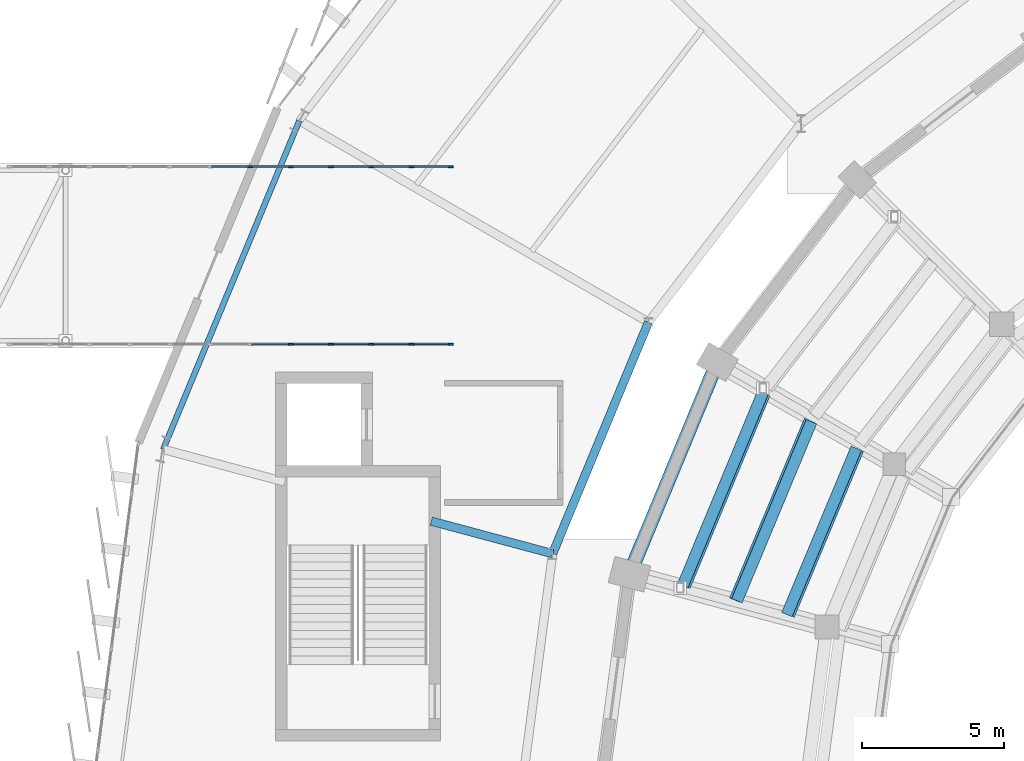
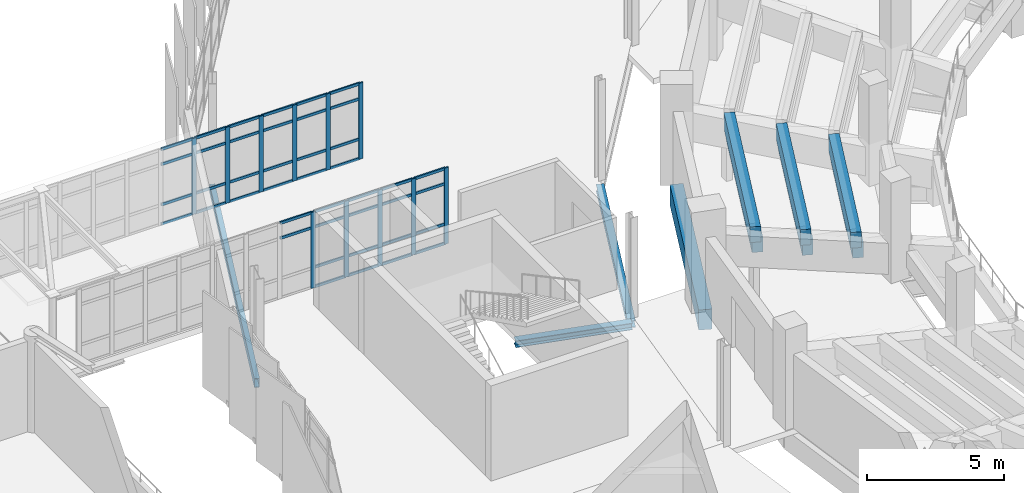
# One storey, part 44 of 120: 53 members, 10 beams, 2 elements without a shape of their own.
"""IFC4 building model written with IfcOpenShell, lengths in metres."""

from ifc_helpers import new_model, si_unit, direction, frame, origin, origin_2d, place, context, subcontext, project, spatial, rectangle, hollow_rectangle, i_section, extrude, material, layer, layer_set, material_profile, profile_set, type_object, element, aggregate, save


model = new_model("IFC4")

# Units and contexts
model_context = context("Model", 3, precision=1e-05, world=origin(), true_north=direction((0.0, 1.0)))
body_context = subcontext(model_context, "Body", "Model", "MODEL_VIEW")
ifc_project = project(units=[si_unit("LENGTHUNIT", "METRE"), si_unit("AREAUNIT", "SQUARE_METRE"), si_unit("VOLUMEUNIT", "CUBIC_METRE"), si_unit("PLANEANGLEUNIT", "RADIAN"), si_unit("MASSUNIT", "GRAM", prefix="KILO")], contexts=[model_context])

# Site, building, storey
site_placement = place(None, origin())
site = spatial("IfcSite", under=ifc_project, at=site_placement, CompositionType="ELEMENT")
building_placement = place(site_placement, origin())
building = spatial("IfcBuilding", under=site, at=building_placement, Name="Sohan Crest Arena", CompositionType="ELEMENT")
storey_placement = place(building_placement, frame((0.0, 0.0, 13.5)))
storey = spatial("IfcBuildingStorey", under=building, at=storey_placement, Name="L03", CompositionType="ELEMENT", Elevation=13.5)

# Curtain wall, members
ifc_material_1 = material(Name="Thermally broken anodised aluminium", Category="aluminium")
ifc_layer = layer(ifc_material_1, 0.18994140625, Name="Thermally broken anodised aluminium")
ifc_layer_set = layer_set([ifc_layer], Name="Thermally broken anodised aluminium")
curtain_wall_type = type_object("IfcCurtainWallType", Name="ARC-CW05", PredefinedType="NOTDEFINED", material=ifc_layer_set)
curtain_wall_1_placement = place(storey_placement, origin())
curtain_wall_1 = element("IfcCurtainWall", 1, at=curtain_wall_1_placement, inside=storey, type_object=curtain_wall_type, Name="Unitised curtain wall CW-237", PredefinedType="NOTDEFINED")
ifc_material_profile_1 = material_profile(ifc_material_1, rectangle(XDim=0.06494140625, YDim=0.179931640625, at=origin_2d()), Name="ALU-MULL 65x180")
ifc_profile_set_1 = profile_set([ifc_material_profile_1], Name="Thermally broken anodised aluminium")
member_type_1 = type_object("IfcMemberType", Name="ARC-CW-ML02", PredefinedType="MULLION", material=ifc_profile_set_1)
member_1_placement = place(storey_placement, frame((56.127197265625, 94.1201171875, 0.0), z_axis=(0.0, 0.0, 1.0), x_axis=(0.0, 1.0, 0.0)))
member_1 = element("IfcMember", 2, at=member_1_placement, type_object=member_type_1, Name="CW-237 mullion 8", PredefinedType="MULLION", context=body_context, shape_type="SweptSolid", body=[
    extrude(rectangle(XDim=0.06494140625, YDim=0.179931640625, at=origin_2d()), origin(), (0.0, 0.0, 1.0), 3.39990234375),
])
member_2_placement = place(storey_placement, frame((57.54541015625, 94.1201171875, 0.0), z_axis=(0.0, 0.0, 1.0), x_axis=(0.0, 1.0, 0.0)))
member_2 = element("IfcMember", 3, at=member_2_placement, type_object=member_type_1, Name="CW-237 mullion 9", PredefinedType="MULLION", context=body_context, shape_type="SweptSolid", body=[
    extrude(rectangle(XDim=0.06494140625, YDim=0.179931640625, at=origin_2d()), origin(), (0.0, 0.0, 1.0), 3.39990234375),
])
member_3_placement = place(storey_placement, frame((58.963623046875, 94.1201171875, 0.0), z_axis=(0.0, 0.0, 1.0), x_axis=(0.0, 1.0, 0.0)))
member_3 = element("IfcMember", 4, at=member_3_placement, type_object=member_type_1, Name="CW-237 mullion 10", PredefinedType="MULLION", context=body_context, shape_type="SweptSolid", body=[
    extrude(rectangle(XDim=0.06494140625, YDim=0.179931640625, at=origin_2d()), origin(), (0.0, 0.0, 1.0), 3.39990234375),
])
member_4_placement = place(storey_placement, frame((60.3818359375, 94.1201171875, 0.0), z_axis=(0.0, 0.0, 1.0), x_axis=(0.0, 1.0, 0.0)))
member_4 = element("IfcMember", 5, at=member_4_placement, type_object=member_type_1, Name="CW-237 mullion 11", PredefinedType="MULLION", context=body_context, shape_type="SweptSolid", body=[
    extrude(rectangle(XDim=0.06494140625, YDim=0.179931640625, at=origin_2d()), origin(), (0.0, 0.0, 1.0), 3.39990234375),
])
member_5_placement = place(storey_placement, frame((61.767578125, 94.1201171875, 0.0), z_axis=(0.0, 0.0, 1.0), x_axis=(0.0, 1.0, 0.0)))
member_5 = element("IfcMember", 6, at=member_5_placement, type_object=member_type_1, Name="CW-237 mullion 12", PredefinedType="MULLION", context=body_context, shape_type="SweptSolid", body=[
    extrude(rectangle(XDim=0.06494140625, YDim=0.179931640625, at=origin_2d()), origin(), (0.0, 0.0, 1.0), 3.39990234375),
])

curtain_wall_2_placement = place(storey_placement, origin())
curtain_wall_2 = element("IfcCurtainWall", 7, at=curtain_wall_2_placement, inside=storey, type_object=curtain_wall_type, Name="Unitised curtain wall CW-238", PredefinedType="NOTDEFINED")
member_6_placement = place(storey_placement, frame((54.708984375, 100.3798828125, 0.0), z_axis=(0.0, 0.0, 1.0), x_axis=(0.0, 1.0, 0.0)))
member_6 = element("IfcMember", 8, at=member_6_placement, type_object=member_type_1, Name="CW-238 mullion 7", PredefinedType="MULLION", context=body_context, shape_type="SweptSolid", body=[
    extrude(rectangle(XDim=0.06494140625, YDim=0.179931640625, at=origin_2d()), origin(), (0.0, 0.0, 1.0), 3.39990234375),
])
member_7_placement = place(storey_placement, frame((56.127197265625, 100.3798828125, 0.0), z_axis=(0.0, 0.0, 1.0), x_axis=(0.0, 1.0, 0.0)))
member_7 = element("IfcMember", 9, at=member_7_placement, type_object=member_type_1, Name="CW-238 mullion 8", PredefinedType="MULLION", context=body_context, shape_type="SweptSolid", body=[
    extrude(rectangle(XDim=0.06494140625, YDim=0.179931640625, at=origin_2d()), origin(), (0.0, 0.0, 1.0), 3.39990234375),
])
member_8_placement = place(storey_placement, frame((57.54541015625, 100.3798828125, 0.0), z_axis=(0.0, 0.0, 1.0), x_axis=(0.0, 1.0, 0.0)))
member_8 = element("IfcMember", 10, at=member_8_placement, type_object=member_type_1, Name="CW-238 mullion 9", PredefinedType="MULLION", context=body_context, shape_type="SweptSolid", body=[
    extrude(rectangle(XDim=0.06494140625, YDim=0.179931640625, at=origin_2d()), origin(), (0.0, 0.0, 1.0), 3.39990234375),
])
member_9_placement = place(storey_placement, frame((58.963623046875, 100.3798828125, 0.0), z_axis=(0.0, 0.0, 1.0), x_axis=(0.0, 1.0, 0.0)))
member_9 = element("IfcMember", 11, at=member_9_placement, type_object=member_type_1, Name="CW-238 mullion 10", PredefinedType="MULLION", context=body_context, shape_type="SweptSolid", body=[
    extrude(rectangle(XDim=0.06494140625, YDim=0.179931640625, at=origin_2d()), origin(), (0.0, 0.0, 1.0), 3.39990234375),
])
member_10_placement = place(storey_placement, frame((60.3818359375, 100.3798828125, 0.0), z_axis=(0.0, 0.0, 1.0), x_axis=(0.0, 1.0, 0.0)))
member_10 = element("IfcMember", 12, at=member_10_placement, type_object=member_type_1, Name="CW-238 mullion 11", PredefinedType="MULLION", context=body_context, shape_type="SweptSolid", body=[
    extrude(rectangle(XDim=0.06494140625, YDim=0.179931640625, at=origin_2d()), origin(), (0.0, 0.0, 1.0), 3.39990234375),
])
member_11_placement = place(storey_placement, frame((61.767578125, 100.3798828125, 0.0), z_axis=(0.0, 0.0, 1.0), x_axis=(0.0, 1.0, 0.0)))
member_11 = element("IfcMember", 13, at=member_11_placement, type_object=member_type_1, Name="CW-238 mullion 12", PredefinedType="MULLION", context=body_context, shape_type="SweptSolid", body=[
    extrude(rectangle(XDim=0.06494140625, YDim=0.179931640625, at=origin_2d()), origin(), (0.0, 0.0, 1.0), 3.39990234375),
])

# Member
ifc_material_profile_2 = material_profile(ifc_material_1, rectangle(XDim=0.06005859375, YDim=0.1201171875, at=origin_2d()), Name="ALU-TRAN 60x120")
ifc_profile_set_2 = profile_set([ifc_material_profile_2], Name="Thermally broken anodised aluminium")
member_type_2 = type_object("IfcMemberType", Name="ARC-CW-TR01", PredefinedType="USERDEFINED", material=ifc_profile_set_2)
member_12_placement = place(storey_placement, frame((54.74169921875, 94.1201171875, 2.699951171875), z_axis=(1.0, 0.0, 0.0), x_axis=(0.0, 1.0, 0.0)))
member_12 = element("IfcMember", 14, at=member_12_placement, type_object=member_type_2, Name="CW-237 transom 7.3", ObjectType="TRANSOM", PredefinedType="USERDEFINED", context=body_context, shape_type="SweptSolid", body=[
    extrude(rectangle(XDim=0.06005859375, YDim=0.1201171875, at=origin_2d()), origin(), (0.0, 0.0, 1.0), 1.35302734375),
])

member_13_placement = place(storey_placement, frame((54.74169921875, 94.1201171875, 3.3701171875), z_axis=(1.0, 0.0, 0.0), x_axis=(0.0, 1.0, 0.0)))
member_13 = element("IfcMember", 15, at=member_13_placement, type_object=member_type_2, Name="CW-237 transom 7.4", ObjectType="TRANSOM", PredefinedType="USERDEFINED", context=body_context, shape_type="SweptSolid", body=[
    extrude(rectangle(XDim=0.06005859375, YDim=0.1201171875, at=origin_2d()), origin(), (0.0, 0.0, 1.0), 1.35302734375),
])

member_14_placement = place(storey_placement, frame((56.15966796875, 94.1201171875, 0.030029296875), z_axis=(1.0, 0.0, 0.0), x_axis=(0.0, 1.0, 0.0)))
member_14 = element("IfcMember", 16, at=member_14_placement, type_object=member_type_2, Name="CW-237 transom 8.1", ObjectType="TRANSOM", PredefinedType="USERDEFINED", context=body_context, shape_type="SweptSolid", body=[
    extrude(rectangle(XDim=0.06005859375, YDim=0.1201171875, at=origin_2d()), origin(), (0.0, 0.0, 1.0), 1.353271484375),
])

member_15_placement = place(storey_placement, frame((56.15966796875, 94.1201171875, 0.89990234375), z_axis=(1.0, 0.0, 0.0), x_axis=(0.0, 1.0, 0.0)))
member_15 = element("IfcMember", 17, at=member_15_placement, type_object=member_type_2, Name="CW-237 transom 8.2", ObjectType="TRANSOM", PredefinedType="USERDEFINED", context=body_context, shape_type="SweptSolid", body=[
    extrude(rectangle(XDim=0.06005859375, YDim=0.1201171875, at=origin_2d()), origin(), (0.0, 0.0, 1.0), 1.353271484375),
])

member_16_placement = place(storey_placement, frame((56.15966796875, 94.1201171875, 2.699951171875), z_axis=(1.0, 0.0, 0.0), x_axis=(0.0, 1.0, 0.0)))
member_16 = element("IfcMember", 18, at=member_16_placement, type_object=member_type_2, Name="CW-237 transom 8.3", ObjectType="TRANSOM", PredefinedType="USERDEFINED", context=body_context, shape_type="SweptSolid", body=[
    extrude(rectangle(XDim=0.06005859375, YDim=0.1201171875, at=origin_2d()), origin(), (0.0, 0.0, 1.0), 1.353271484375),
])

member_17_placement = place(storey_placement, frame((56.15966796875, 94.1201171875, 3.3701171875), z_axis=(1.0, 0.0, 0.0), x_axis=(0.0, 1.0, 0.0)))
member_17 = element("IfcMember", 19, at=member_17_placement, type_object=member_type_2, Name="CW-237 transom 8.4", ObjectType="TRANSOM", PredefinedType="USERDEFINED", context=body_context, shape_type="SweptSolid", body=[
    extrude(rectangle(XDim=0.06005859375, YDim=0.1201171875, at=origin_2d()), origin(), (0.0, 0.0, 1.0), 1.353271484375),
])

member_18_placement = place(storey_placement, frame((57.577880859375, 94.1201171875, 0.030029296875), z_axis=(1.0, 0.0, 0.0), x_axis=(0.0, 1.0, 0.0)))
member_18 = element("IfcMember", 20, at=member_18_placement, type_object=member_type_2, Name="CW-237 transom 9.1", ObjectType="TRANSOM", PredefinedType="USERDEFINED", context=body_context, shape_type="SweptSolid", body=[
    extrude(rectangle(XDim=0.06005859375, YDim=0.1201171875, at=origin_2d()), origin(), (0.0, 0.0, 1.0), 1.353271484375),
])

member_19_placement = place(storey_placement, frame((57.577880859375, 94.1201171875, 0.89990234375), z_axis=(1.0, 0.0, 0.0), x_axis=(0.0, 1.0, 0.0)))
member_19 = element("IfcMember", 21, at=member_19_placement, type_object=member_type_2, Name="CW-237 transom 9.2", ObjectType="TRANSOM", PredefinedType="USERDEFINED", context=body_context, shape_type="SweptSolid", body=[
    extrude(rectangle(XDim=0.06005859375, YDim=0.1201171875, at=origin_2d()), origin(), (0.0, 0.0, 1.0), 1.353271484375),
])

member_20_placement = place(storey_placement, frame((57.577880859375, 94.1201171875, 2.699951171875), z_axis=(1.0, 0.0, 0.0), x_axis=(0.0, 1.0, 0.0)))
member_20 = element("IfcMember", 22, at=member_20_placement, type_object=member_type_2, Name="CW-237 transom 9.3", ObjectType="TRANSOM", PredefinedType="USERDEFINED", context=body_context, shape_type="SweptSolid", body=[
    extrude(rectangle(XDim=0.06005859375, YDim=0.1201171875, at=origin_2d()), origin(), (0.0, 0.0, 1.0), 1.353271484375),
])

member_21_placement = place(storey_placement, frame((57.577880859375, 94.1201171875, 3.3701171875), z_axis=(1.0, 0.0, 0.0), x_axis=(0.0, 1.0, 0.0)))
member_21 = element("IfcMember", 23, at=member_21_placement, type_object=member_type_2, Name="CW-237 transom 9.4", ObjectType="TRANSOM", PredefinedType="USERDEFINED", context=body_context, shape_type="SweptSolid", body=[
    extrude(rectangle(XDim=0.06005859375, YDim=0.1201171875, at=origin_2d()), origin(), (0.0, 0.0, 1.0), 1.353271484375),
])

member_22_placement = place(storey_placement, frame((58.99609375, 94.1201171875, 0.030029296875), z_axis=(1.0, 0.0, 0.0), x_axis=(0.0, 1.0, 0.0)))
member_22 = element("IfcMember", 24, at=member_22_placement, type_object=member_type_2, Name="CW-237 transom 10.1", ObjectType="TRANSOM", PredefinedType="USERDEFINED", context=body_context, shape_type="SweptSolid", body=[
    extrude(rectangle(XDim=0.06005859375, YDim=0.1201171875, at=origin_2d()), origin(), (0.0, 0.0, 1.0), 1.353271484375),
])

member_23_placement = place(storey_placement, frame((58.99609375, 94.1201171875, 0.89990234375), z_axis=(1.0, 0.0, 0.0), x_axis=(0.0, 1.0, 0.0)))
member_23 = element("IfcMember", 25, at=member_23_placement, type_object=member_type_2, Name="CW-237 transom 10.2", ObjectType="TRANSOM", PredefinedType="USERDEFINED", context=body_context, shape_type="SweptSolid", body=[
    extrude(rectangle(XDim=0.06005859375, YDim=0.1201171875, at=origin_2d()), origin(), (0.0, 0.0, 1.0), 1.353271484375),
])

member_24_placement = place(storey_placement, frame((58.99609375, 94.1201171875, 2.699951171875), z_axis=(1.0, 0.0, 0.0), x_axis=(0.0, 1.0, 0.0)))
member_24 = element("IfcMember", 26, at=member_24_placement, type_object=member_type_2, Name="CW-237 transom 10.3", ObjectType="TRANSOM", PredefinedType="USERDEFINED", context=body_context, shape_type="SweptSolid", body=[
    extrude(rectangle(XDim=0.06005859375, YDim=0.1201171875, at=origin_2d()), origin(), (0.0, 0.0, 1.0), 1.353271484375),
])

member_25_placement = place(storey_placement, frame((58.99609375, 94.1201171875, 3.3701171875), z_axis=(1.0, 0.0, 0.0), x_axis=(0.0, 1.0, 0.0)))
member_25 = element("IfcMember", 27, at=member_25_placement, type_object=member_type_2, Name="CW-237 transom 10.4", ObjectType="TRANSOM", PredefinedType="USERDEFINED", context=body_context, shape_type="SweptSolid", body=[
    extrude(rectangle(XDim=0.06005859375, YDim=0.1201171875, at=origin_2d()), origin(), (0.0, 0.0, 1.0), 1.353271484375),
])

member_26_placement = place(storey_placement, frame((60.414306640625, 94.1201171875, 0.030029296875), z_axis=(1.0, 0.0, 0.0), x_axis=(0.0, 1.0, 0.0)))
member_26 = element("IfcMember", 28, at=member_26_placement, type_object=member_type_2, Name="CW-237 transom 11.1", ObjectType="TRANSOM", PredefinedType="USERDEFINED", context=body_context, shape_type="SweptSolid", body=[
    extrude(rectangle(XDim=0.06005859375, YDim=0.1201171875, at=origin_2d()), origin(), (0.0, 0.0, 1.0), 1.32080078125),
])

member_27_placement = place(storey_placement, frame((60.414306640625, 94.1201171875, 0.89990234375), z_axis=(1.0, 0.0, 0.0), x_axis=(0.0, 1.0, 0.0)))
member_27 = element("IfcMember", 29, at=member_27_placement, type_object=member_type_2, Name="CW-237 transom 11.2", ObjectType="TRANSOM", PredefinedType="USERDEFINED", context=body_context, shape_type="SweptSolid", body=[
    extrude(rectangle(XDim=0.06005859375, YDim=0.1201171875, at=origin_2d()), origin(), (0.0, 0.0, 1.0), 1.32080078125),
])

member_28_placement = place(storey_placement, frame((60.414306640625, 94.1201171875, 2.699951171875), z_axis=(1.0, 0.0, 0.0), x_axis=(0.0, 1.0, 0.0)))
member_28 = element("IfcMember", 30, at=member_28_placement, type_object=member_type_2, Name="CW-237 transom 11.3", ObjectType="TRANSOM", PredefinedType="USERDEFINED", context=body_context, shape_type="SweptSolid", body=[
    extrude(rectangle(XDim=0.06005859375, YDim=0.1201171875, at=origin_2d()), origin(), (0.0, 0.0, 1.0), 1.32080078125),
])

member_29_placement = place(storey_placement, frame((60.414306640625, 94.1201171875, 3.3701171875), z_axis=(1.0, 0.0, 0.0), x_axis=(0.0, 1.0, 0.0)))
member_29 = element("IfcMember", 31, at=member_29_placement, type_object=member_type_2, Name="CW-237 transom 11.4", ObjectType="TRANSOM", PredefinedType="USERDEFINED", context=body_context, shape_type="SweptSolid", body=[
    extrude(rectangle(XDim=0.06005859375, YDim=0.1201171875, at=origin_2d()), origin(), (0.0, 0.0, 1.0), 1.32080078125),
])

aggregate(curtain_wall_1, [member_1, member_2, member_3, member_4, member_5, member_12, member_13, member_14, member_15, member_16, member_17, member_18, member_19, member_20, member_21, member_22, member_23, member_24, member_25, member_26, member_27, member_28, member_29])

member_30_placement = place(storey_placement, frame((53.323486328125, 100.3798828125, 0.030029296875), z_axis=(1.0, 0.0, 0.0), x_axis=(0.0, 1.0, 0.0)))
member_30 = element("IfcMember", 32, at=member_30_placement, type_object=member_type_2, Name="CW-238 transom 6.1", ObjectType="TRANSOM", PredefinedType="USERDEFINED", context=body_context, shape_type="SweptSolid", body=[
    extrude(rectangle(XDim=0.06005859375, YDim=0.1201171875, at=origin_2d()), origin(), (0.0, 0.0, 1.0), 1.35302734375),
])

member_31_placement = place(storey_placement, frame((53.323486328125, 100.3798828125, 0.89990234375), z_axis=(1.0, 0.0, 0.0), x_axis=(0.0, 1.0, 0.0)))
member_31 = element("IfcMember", 33, at=member_31_placement, type_object=member_type_2, Name="CW-238 transom 6.2", ObjectType="TRANSOM", PredefinedType="USERDEFINED", context=body_context, shape_type="SweptSolid", body=[
    extrude(rectangle(XDim=0.06005859375, YDim=0.1201171875, at=origin_2d()), origin(), (0.0, 0.0, 1.0), 1.35302734375),
])

member_32_placement = place(storey_placement, frame((53.323486328125, 100.3798828125, 2.699951171875), z_axis=(1.0, 0.0, 0.0), x_axis=(0.0, 1.0, 0.0)))
member_32 = element("IfcMember", 34, at=member_32_placement, type_object=member_type_2, Name="CW-238 transom 6.3", ObjectType="TRANSOM", PredefinedType="USERDEFINED", context=body_context, shape_type="SweptSolid", body=[
    extrude(rectangle(XDim=0.06005859375, YDim=0.1201171875, at=origin_2d()), origin(), (0.0, 0.0, 1.0), 1.35302734375),
])

member_33_placement = place(storey_placement, frame((53.323486328125, 100.3798828125, 3.3701171875), z_axis=(1.0, 0.0, 0.0), x_axis=(0.0, 1.0, 0.0)))
member_33 = element("IfcMember", 35, at=member_33_placement, type_object=member_type_2, Name="CW-238 transom 6.4", ObjectType="TRANSOM", PredefinedType="USERDEFINED", context=body_context, shape_type="SweptSolid", body=[
    extrude(rectangle(XDim=0.06005859375, YDim=0.1201171875, at=origin_2d()), origin(), (0.0, 0.0, 1.0), 1.35302734375),
])

member_34_placement = place(storey_placement, frame((54.74169921875, 100.3798828125, 0.030029296875), z_axis=(1.0, 0.0, 0.0), x_axis=(0.0, 1.0, 0.0)))
member_34 = element("IfcMember", 36, at=member_34_placement, type_object=member_type_2, Name="CW-238 transom 7.1", ObjectType="TRANSOM", PredefinedType="USERDEFINED", context=body_context, shape_type="SweptSolid", body=[
    extrude(rectangle(XDim=0.06005859375, YDim=0.1201171875, at=origin_2d()), origin(), (0.0, 0.0, 1.0), 1.35302734375),
])

member_35_placement = place(storey_placement, frame((54.74169921875, 100.3798828125, 0.89990234375), z_axis=(1.0, 0.0, 0.0), x_axis=(0.0, 1.0, 0.0)))
member_35 = element("IfcMember", 37, at=member_35_placement, type_object=member_type_2, Name="CW-238 transom 7.2", ObjectType="TRANSOM", PredefinedType="USERDEFINED", context=body_context, shape_type="SweptSolid", body=[
    extrude(rectangle(XDim=0.06005859375, YDim=0.1201171875, at=origin_2d()), origin(), (0.0, 0.0, 1.0), 1.35302734375),
])

member_36_placement = place(storey_placement, frame((54.74169921875, 100.3798828125, 2.699951171875), z_axis=(1.0, 0.0, 0.0), x_axis=(0.0, 1.0, 0.0)))
member_36 = element("IfcMember", 38, at=member_36_placement, type_object=member_type_2, Name="CW-238 transom 7.3", ObjectType="TRANSOM", PredefinedType="USERDEFINED", context=body_context, shape_type="SweptSolid", body=[
    extrude(rectangle(XDim=0.06005859375, YDim=0.1201171875, at=origin_2d()), origin(), (0.0, 0.0, 1.0), 1.35302734375),
])

member_37_placement = place(storey_placement, frame((54.74169921875, 100.3798828125, 3.3701171875), z_axis=(1.0, 0.0, 0.0), x_axis=(0.0, 1.0, 0.0)))
member_37 = element("IfcMember", 39, at=member_37_placement, type_object=member_type_2, Name="CW-238 transom 7.4", ObjectType="TRANSOM", PredefinedType="USERDEFINED", context=body_context, shape_type="SweptSolid", body=[
    extrude(rectangle(XDim=0.06005859375, YDim=0.1201171875, at=origin_2d()), origin(), (0.0, 0.0, 1.0), 1.35302734375),
])

member_38_placement = place(storey_placement, frame((56.15966796875, 100.3798828125, 0.030029296875), z_axis=(1.0, 0.0, 0.0), x_axis=(0.0, 1.0, 0.0)))
member_38 = element("IfcMember", 40, at=member_38_placement, type_object=member_type_2, Name="CW-238 transom 8.1", ObjectType="TRANSOM", PredefinedType="USERDEFINED", context=body_context, shape_type="SweptSolid", body=[
    extrude(rectangle(XDim=0.06005859375, YDim=0.1201171875, at=origin_2d()), origin(), (0.0, 0.0, 1.0), 1.353271484375),
])

member_39_placement = place(storey_placement, frame((56.15966796875, 100.3798828125, 0.89990234375), z_axis=(1.0, 0.0, 0.0), x_axis=(0.0, 1.0, 0.0)))
member_39 = element("IfcMember", 41, at=member_39_placement, type_object=member_type_2, Name="CW-238 transom 8.2", ObjectType="TRANSOM", PredefinedType="USERDEFINED", context=body_context, shape_type="SweptSolid", body=[
    extrude(rectangle(XDim=0.06005859375, YDim=0.1201171875, at=origin_2d()), origin(), (0.0, 0.0, 1.0), 1.353271484375),
])

member_40_placement = place(storey_placement, frame((56.15966796875, 100.3798828125, 2.699951171875), z_axis=(1.0, 0.0, 0.0), x_axis=(0.0, 1.0, 0.0)))
member_40 = element("IfcMember", 42, at=member_40_placement, type_object=member_type_2, Name="CW-238 transom 8.3", ObjectType="TRANSOM", PredefinedType="USERDEFINED", context=body_context, shape_type="SweptSolid", body=[
    extrude(rectangle(XDim=0.06005859375, YDim=0.1201171875, at=origin_2d()), origin(), (0.0, 0.0, 1.0), 1.353271484375),
])

member_41_placement = place(storey_placement, frame((56.15966796875, 100.3798828125, 3.3701171875), z_axis=(1.0, 0.0, 0.0), x_axis=(0.0, 1.0, 0.0)))
member_41 = element("IfcMember", 43, at=member_41_placement, type_object=member_type_2, Name="CW-238 transom 8.4", ObjectType="TRANSOM", PredefinedType="USERDEFINED", context=body_context, shape_type="SweptSolid", body=[
    extrude(rectangle(XDim=0.06005859375, YDim=0.1201171875, at=origin_2d()), origin(), (0.0, 0.0, 1.0), 1.353271484375),
])

member_42_placement = place(storey_placement, frame((57.577880859375, 100.3798828125, 0.030029296875), z_axis=(1.0, 0.0, 0.0), x_axis=(0.0, 1.0, 0.0)))
member_42 = element("IfcMember", 44, at=member_42_placement, type_object=member_type_2, Name="CW-238 transom 9.1", ObjectType="TRANSOM", PredefinedType="USERDEFINED", context=body_context, shape_type="SweptSolid", body=[
    extrude(rectangle(XDim=0.06005859375, YDim=0.1201171875, at=origin_2d()), origin(), (0.0, 0.0, 1.0), 1.353271484375),
])

member_43_placement = place(storey_placement, frame((57.577880859375, 100.3798828125, 0.89990234375), z_axis=(1.0, 0.0, 0.0), x_axis=(0.0, 1.0, 0.0)))
member_43 = element("IfcMember", 45, at=member_43_placement, type_object=member_type_2, Name="CW-238 transom 9.2", ObjectType="TRANSOM", PredefinedType="USERDEFINED", context=body_context, shape_type="SweptSolid", body=[
    extrude(rectangle(XDim=0.06005859375, YDim=0.1201171875, at=origin_2d()), origin(), (0.0, 0.0, 1.0), 1.353271484375),
])

member_44_placement = place(storey_placement, frame((57.577880859375, 100.3798828125, 2.699951171875), z_axis=(1.0, 0.0, 0.0), x_axis=(0.0, 1.0, 0.0)))
member_44 = element("IfcMember", 46, at=member_44_placement, type_object=member_type_2, Name="CW-238 transom 9.3", ObjectType="TRANSOM", PredefinedType="USERDEFINED", context=body_context, shape_type="SweptSolid", body=[
    extrude(rectangle(XDim=0.06005859375, YDim=0.1201171875, at=origin_2d()), origin(), (0.0, 0.0, 1.0), 1.353271484375),
])

member_45_placement = place(storey_placement, frame((57.577880859375, 100.3798828125, 3.3701171875), z_axis=(1.0, 0.0, 0.0), x_axis=(0.0, 1.0, 0.0)))
member_45 = element("IfcMember", 47, at=member_45_placement, type_object=member_type_2, Name="CW-238 transom 9.4", ObjectType="TRANSOM", PredefinedType="USERDEFINED", context=body_context, shape_type="SweptSolid", body=[
    extrude(rectangle(XDim=0.06005859375, YDim=0.1201171875, at=origin_2d()), origin(), (0.0, 0.0, 1.0), 1.353271484375),
])

member_46_placement = place(storey_placement, frame((58.99609375, 100.3798828125, 0.030029296875), z_axis=(1.0, 0.0, 0.0), x_axis=(0.0, 1.0, 0.0)))
member_46 = element("IfcMember", 48, at=member_46_placement, type_object=member_type_2, Name="CW-238 transom 10.1", ObjectType="TRANSOM", PredefinedType="USERDEFINED", context=body_context, shape_type="SweptSolid", body=[
    extrude(rectangle(XDim=0.06005859375, YDim=0.1201171875, at=origin_2d()), origin(), (0.0, 0.0, 1.0), 1.353271484375),
])

member_47_placement = place(storey_placement, frame((58.99609375, 100.3798828125, 0.89990234375), z_axis=(1.0, 0.0, 0.0), x_axis=(0.0, 1.0, 0.0)))
member_47 = element("IfcMember", 49, at=member_47_placement, type_object=member_type_2, Name="CW-238 transom 10.2", ObjectType="TRANSOM", PredefinedType="USERDEFINED", context=body_context, shape_type="SweptSolid", body=[
    extrude(rectangle(XDim=0.06005859375, YDim=0.1201171875, at=origin_2d()), origin(), (0.0, 0.0, 1.0), 1.353271484375),
])

member_48_placement = place(storey_placement, frame((58.99609375, 100.3798828125, 2.699951171875), z_axis=(1.0, 0.0, 0.0), x_axis=(0.0, 1.0, 0.0)))
member_48 = element("IfcMember", 50, at=member_48_placement, type_object=member_type_2, Name="CW-238 transom 10.3", ObjectType="TRANSOM", PredefinedType="USERDEFINED", context=body_context, shape_type="SweptSolid", body=[
    extrude(rectangle(XDim=0.06005859375, YDim=0.1201171875, at=origin_2d()), origin(), (0.0, 0.0, 1.0), 1.353271484375),
])

member_49_placement = place(storey_placement, frame((58.99609375, 100.3798828125, 3.3701171875), z_axis=(1.0, 0.0, 0.0), x_axis=(0.0, 1.0, 0.0)))
member_49 = element("IfcMember", 51, at=member_49_placement, type_object=member_type_2, Name="CW-238 transom 10.4", ObjectType="TRANSOM", PredefinedType="USERDEFINED", context=body_context, shape_type="SweptSolid", body=[
    extrude(rectangle(XDim=0.06005859375, YDim=0.1201171875, at=origin_2d()), origin(), (0.0, 0.0, 1.0), 1.353271484375),
])

member_50_placement = place(storey_placement, frame((60.414306640625, 100.3798828125, 0.030029296875), z_axis=(1.0, 0.0, 0.0), x_axis=(0.0, 1.0, 0.0)))
member_50 = element("IfcMember", 52, at=member_50_placement, type_object=member_type_2, Name="CW-238 transom 11.1", ObjectType="TRANSOM", PredefinedType="USERDEFINED", context=body_context, shape_type="SweptSolid", body=[
    extrude(rectangle(XDim=0.06005859375, YDim=0.1201171875, at=origin_2d()), origin(), (0.0, 0.0, 1.0), 1.32080078125),
])

member_51_placement = place(storey_placement, frame((60.414306640625, 100.3798828125, 0.89990234375), z_axis=(1.0, 0.0, 0.0), x_axis=(0.0, 1.0, 0.0)))
member_51 = element("IfcMember", 53, at=member_51_placement, type_object=member_type_2, Name="CW-238 transom 11.2", ObjectType="TRANSOM", PredefinedType="USERDEFINED", context=body_context, shape_type="SweptSolid", body=[
    extrude(rectangle(XDim=0.06005859375, YDim=0.1201171875, at=origin_2d()), origin(), (0.0, 0.0, 1.0), 1.32080078125),
])

member_52_placement = place(storey_placement, frame((60.414306640625, 100.3798828125, 2.699951171875), z_axis=(1.0, 0.0, 0.0), x_axis=(0.0, 1.0, 0.0)))
member_52 = element("IfcMember", 54, at=member_52_placement, type_object=member_type_2, Name="CW-238 transom 11.3", ObjectType="TRANSOM", PredefinedType="USERDEFINED", context=body_context, shape_type="SweptSolid", body=[
    extrude(rectangle(XDim=0.06005859375, YDim=0.1201171875, at=origin_2d()), origin(), (0.0, 0.0, 1.0), 1.32080078125),
])

member_53_placement = place(storey_placement, frame((60.414306640625, 100.3798828125, 3.3701171875), z_axis=(1.0, 0.0, 0.0), x_axis=(0.0, 1.0, 0.0)))
member_53 = element("IfcMember", 55, at=member_53_placement, type_object=member_type_2, Name="CW-238 transom 11.4", ObjectType="TRANSOM", PredefinedType="USERDEFINED", context=body_context, shape_type="SweptSolid", body=[
    extrude(rectangle(XDim=0.06005859375, YDim=0.1201171875, at=origin_2d()), origin(), (0.0, 0.0, 1.0), 1.32080078125),
])

aggregate(curtain_wall_2, [member_6, member_7, member_8, member_9, member_10, member_11, member_30, member_31, member_32, member_33, member_34, member_35, member_36, member_37, member_38, member_39, member_40, member_41, member_42, member_43, member_44, member_45, member_46, member_47, member_48, member_49, member_50, member_51, member_52, member_53])

# Beams
ifc_material_2 = material(Name="Steel S355", Category="steel")
ifc_material_profile_3 = material_profile(ifc_material_2, i_section(OverallWidth=0.300048828125, OverallDepth=0.300048828125, WebThickness=0.010986328125, FlangeThickness=0.01904296875, at=origin_2d()), Name="HEB 300")
ifc_profile_set_3 = profile_set([ifc_material_profile_3], Name="Steel S355")
beam_type_1 = type_object("IfcBeamType", Name="STR-BM-B12", PredefinedType="BEAM", material=ifc_profile_set_3)
beam_1_placement = place(storey_placement, frame((68.72802734375, 94.89990234375, -0.39990234375), z_axis=(-0.38262224111, -0.923904876385, 0.0), x_axis=(0.923904876385, -0.38262224111, 0.0)))
element("IfcBeam", 56, at=beam_1_placement, inside=storey, type_object=beam_type_1, Name="Structural beam G-L03-1417", PredefinedType="BEAM", context=body_context, shape_type="SweptSolid", body=[
    extrude(i_section(OverallWidth=0.300048828125, OverallDepth=0.300048828125, WebThickness=0.010986328125, FlangeThickness=0.01904296875, at=origin_2d()), origin(), (0.0, 0.0, 1.0), 8.8232421875),
])
beam_2_placement = place(storey_placement, frame((65.35205078125, 86.748046875, -0.39990234375), z_axis=(-0.965906157738, 0.258892437981, 0.0), x_axis=(-0.258892437981, -0.965906157738, 0.0)))
element("IfcBeam", 57, at=beam_2_placement, inside=storey, type_object=beam_type_1, Name="Structural beam G-L03-1419", PredefinedType="BEAM", context=body_context, shape_type="SweptSolid", body=[
    extrude(i_section(OverallWidth=0.300048828125, OverallDepth=0.300048828125, WebThickness=0.010986328125, FlangeThickness=0.01904296875, at=origin_2d()), origin(), (0.0, 0.0, 1.0), 4.4228515625),
])
ifc_material_profile_4 = material_profile(ifc_material_2, hollow_rectangle(XDim=0.199951171875, YDim=0.39990234375, WallThickness=0.012451171875, at=origin_2d()), Name="RHS 400x200x12.5")
ifc_profile_set_4 = profile_set([ifc_material_profile_4], Name="Steel S355")
beam_type_2 = type_object("IfcBeamType", Name="STR-BM-SP05", PredefinedType="SPANDREL", material=ifc_profile_set_4)
beam_3_placement = place(storey_placement, frame((56.430908203125, 102.0, -0.449951171875), z_axis=(-0.382656941645, -0.923890504882, 0.0), x_axis=(0.923890504882, -0.382656941645, 0.0)))
element("IfcBeam", 58, at=beam_3_placement, inside=storey, type_object=beam_type_2, Name="Structural beam SP-L03-1418", PredefinedType="SPANDREL", context=body_context, shape_type="SweptSolid", body=[
    extrude(hollow_rectangle(XDim=0.199951171875, YDim=0.39990234375, WallThickness=0.012451171875, at=origin_2d()), origin(), (0.0, 0.0, 1.0), 12.530517578125),
])
ifc_material_3 = material(Name="Concrete C40/50", Category="concrete")
ifc_material_profile_5 = material_profile(ifc_material_3, rectangle(XDim=0.39990234375, YDim=0.699951171875, at=origin_2d()), Name="RC-BM 400x700")
ifc_profile_set_5 = profile_set([ifc_material_profile_5], Name="Concrete C40/50")
beam_type_3 = type_object("IfcBeamType", Name="STR-BM-TB01", PredefinedType="BEAM", material=ifc_profile_set_5)
beam_4_placement = place(storey_placement, frame((76.114013671875, 90.4189453125, 1.31591796875), z_axis=(-0.385338908429, -0.922775121929, 0.0), x_axis=(0.922775121929, -0.385338908429, 0.0)))
element("IfcBeam", 59, at=beam_4_placement, inside=storey, type_object=beam_type_3, Name="Upper tier rear stringer TSB-U041B", PredefinedType="BEAM", context=body_context, shape_type="SweptSolid", body=[
    extrude(rectangle(XDim=0.39990234375, YDim=0.699951171875, at=origin_2d()), origin(), (0.0, 0.0, 1.0), 6.32421875),
])
beam_5_placement = place(storey_placement, frame((76.048095703125, 90.4580078125, 1.77587890625), z_axis=(-0.385221871666, -0.922823986245, 0.0), x_axis=(0.922823986245, -0.385221871666, 0.0)))
element("IfcBeam", 60, at=beam_5_placement, inside=storey, type_object=beam_type_3, Name="Upper tier front stringer TSB-U042A", PredefinedType="BEAM", context=body_context, shape_type="SweptSolid", body=[
    extrude(rectangle(XDim=0.39990234375, YDim=0.699951171875, at=origin_2d()), origin(), (0.0, 0.0, 1.0), 6.3447265625),
])
beam_6_placement = place(storey_placement, frame((74.468017578125, 91.39892578125, 1.77587890625), z_axis=(-0.384277962194, -0.923217443386, 0.0), x_axis=(0.923217443386, -0.384277962194, 0.0)))
element("IfcBeam", 61, at=beam_6_placement, inside=storey, type_object=beam_type_3, Name="Upper tier rear stringer TSB-U042B", PredefinedType="BEAM", context=body_context, shape_type="SweptSolid", body=[
    extrude(rectangle(XDim=0.39990234375, YDim=0.699951171875, at=origin_2d()), origin(), (0.0, 0.0, 1.0), 6.83349609375),
])
beam_7_placement = place(storey_placement, frame((74.402099609375, 91.43798828125, 2.236083984375), z_axis=(-0.384223256331, -0.92324021213, 0.0), x_axis=(0.92324021213, -0.384223256331, 0.0)))
element("IfcBeam", 62, at=beam_7_placement, inside=storey, type_object=beam_type_3, Name="Upper tier front stringer TSB-U043A", PredefinedType="BEAM", context=body_context, shape_type="SweptSolid", body=[
    extrude(rectangle(XDim=0.39990234375, YDim=0.699951171875, at=origin_2d()), origin(), (0.0, 0.0, 1.0), 6.85302734375),
])
beam_8_placement = place(storey_placement, frame((72.822021484375, 92.37890625, 2.236083984375), z_axis=(-0.383399079035, -0.923582777121, 0.0), x_axis=(0.923582777121, -0.383399079035, 0.0)))
element("IfcBeam", 63, at=beam_8_placement, inside=storey, type_object=beam_type_3, Name="Upper tier rear stringer TSB-U043B", PredefinedType="BEAM", context=body_context, shape_type="SweptSolid", body=[
    extrude(rectangle(XDim=0.39990234375, YDim=0.699951171875, at=origin_2d()), origin(), (0.0, 0.0, 1.0), 7.342041015625),
])
beam_9_placement = place(storey_placement, frame((72.757080078125, 92.41796875, 2.696044921875), z_axis=(-0.383529758779, -0.923528518309, 0.0), x_axis=(0.923528518309, -0.383529758779, 0.0)))
element("IfcBeam", 64, at=beam_9_placement, inside=storey, type_object=beam_type_3, Name="Upper tier front stringer TSB-U044A", PredefinedType="BEAM", context=body_context, shape_type="SweptSolid", body=[
    extrude(rectangle(XDim=0.39990234375, YDim=0.699951171875, at=origin_2d()), origin(), (0.0, 0.0, 1.0), 7.363037109375),
])
ifc_material_profile_6 = material_profile(ifc_material_3, rectangle(XDim=0.5, YDim=0.89990234375, at=origin_2d()), Name="RC-BM 500x900")
ifc_profile_set_6 = profile_set([ifc_material_profile_6], Name="Concrete C40/50")
beam_type_4 = type_object("IfcBeamType", Name="STR-BM-TB03", PredefinedType="BEAM", material=ifc_profile_set_6)
beam_10_placement = place(storey_placement, frame((71.153076171875, 93.5, -0.699951171875), z_axis=(-0.382691039498, -0.923876381497, 0.0), x_axis=(0.923876381497, -0.382691039498, 0.0)))
element("IfcBeam", 65, at=beam_10_placement, inside=storey, type_object=beam_type_4, Name="Structural beam TB-L03-0163", PredefinedType="BEAM", context=body_context, shape_type="SweptSolid", body=[
    extrude(rectangle(XDim=0.5, YDim=0.89990234375, at=origin_2d()), origin(), (0.0, 0.0, 1.0), 8.093017578125),
])

save(model, "model.ifc")
